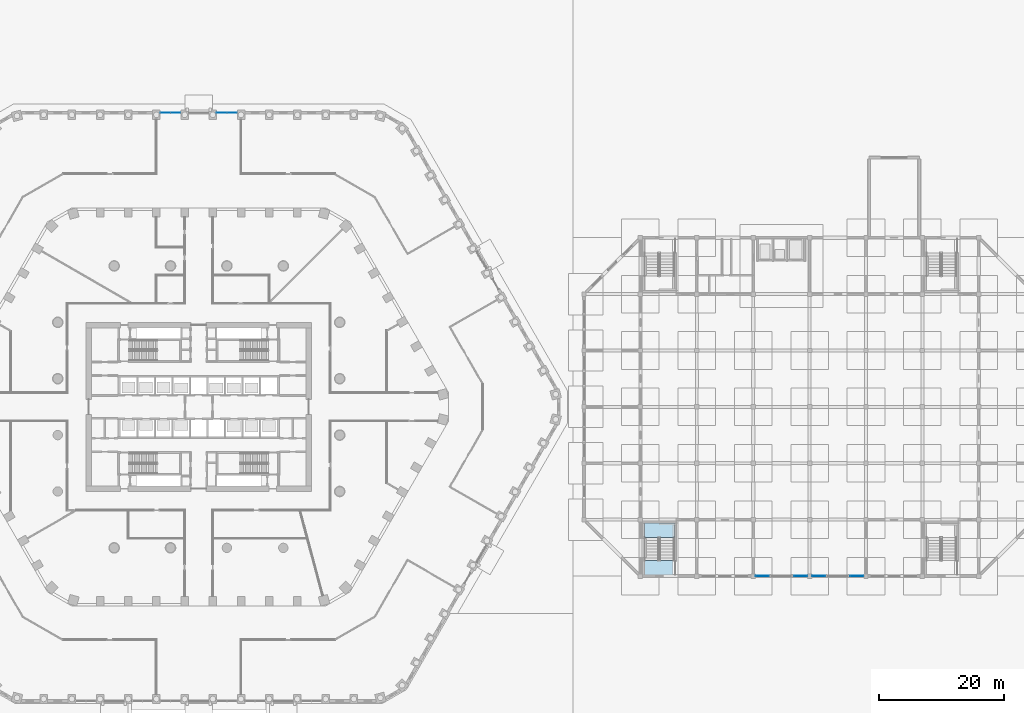
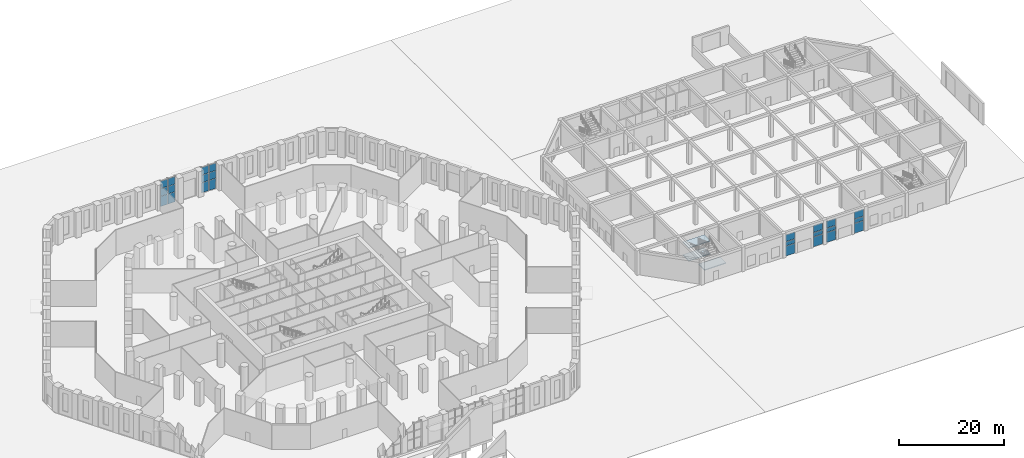
# One storey, part 12 of 44: 24 plates, 3 slabs, 7 elements without a shape of their own.
"""IFC4 building model written with IfcOpenShell, lengths in metres."""

from ifc_helpers import new_model, si_unit, direction, frame, origin, origin_2d, place, context, subcontext, project, spatial, polyline, rectangle, outline, extrude, material, layer, layer_set, type_object, element, aggregate, save


model = new_model("IFC4")

# Units and contexts
model_context = context("Model", 3, precision=1e-05, world=origin(), true_north=direction((0.0, 1.0)))
body_context = subcontext(model_context, "Body", "Model", "MODEL_VIEW")
ifc_project = project(units=[si_unit("LENGTHUNIT", "METRE"), si_unit("AREAUNIT", "SQUARE_METRE"), si_unit("VOLUMEUNIT", "CUBIC_METRE"), si_unit("PLANEANGLEUNIT", "RADIAN"), si_unit("MASSUNIT", "GRAM", prefix="KILO")], contexts=[model_context])

# Site, building, storey
site_placement = place(None, origin())
site = spatial("IfcSite", under=ifc_project, at=site_placement, CompositionType="ELEMENT")
building_placement = place(site_placement, origin())
building = spatial("IfcBuilding", under=site, at=building_placement, Name="Dhurran Vertical Campus", CompositionType="ELEMENT")
storey_placement = place(building_placement, origin())
storey = spatial("IfcBuildingStorey", under=building, at=storey_placement, Name="L00", CompositionType="ELEMENT", Elevation=0.0)

# Curtain wall, plates
ifc_material_1 = material(Name="Aluminium frame with solar-control glass", Category="aluminium")
ifc_layer_1 = layer(ifc_material_1, 0.199951171875)
ifc_layer_set_1 = layer_set([ifc_layer_1], Name="Aluminium frame with solar-control glass")
curtain_wall_type_1 = type_object("IfcCurtainWallType", Name="Entrance glazing system", PredefinedType="NOTDEFINED", material=ifc_layer_set_1)
curtain_wall_1_placement = place(storey_placement, origin())
curtain_wall_1 = element("IfcCurtainWall", 1, at=curtain_wall_1_placement, inside=storey, type_object=curtain_wall_type_1, Name="CW1 L00.43", PredefinedType="NOTDEFINED")
ifc_material_2 = material(Name="Clear solar-control glass", Category="glass")
ifc_layer_2 = layer(ifc_material_2, 0.028076171875)
ifc_layer_set_2 = layer_set([ifc_layer_2], Name="Clear solar-control glass")
plate_type_1 = type_object("IfcPlateType", Name="Entrance glazing system panel", PredefinedType="CURTAIN_PANEL", material=ifc_layer_set_2)
plate_1_placement = place(storey_placement, frame((5.309814453125, 46.943359375, 0.06005859375), z_axis=(0.0, 0.0, 1.0), x_axis=(-1.0, 0.0, 0.0)))
plate_1 = element("IfcPlate", 2, at=plate_1_placement, type_object=plate_type_1, Name="CW1 panel 1.1", PredefinedType="CURTAIN_PANEL", context=body_context, shape_type="SweptSolid", body=[
    extrude(rectangle(XDim=1.5595703125, YDim=0.028076171875, at=origin_2d()), origin(), (0.0, 0.0, 1.0), 2.31005859375),
])
plate_2_placement = place(storey_placement, frame((5.309814453125, 46.943359375, 2.43017578125), z_axis=(0.0, 0.0, 1.0), x_axis=(-1.0, 0.0, 0.0)))
plate_2 = element("IfcPlate", 3, at=plate_2_placement, type_object=plate_type_1, Name="CW1 panel 1.2", PredefinedType="CURTAIN_PANEL", context=body_context, shape_type="SweptSolid", body=[
    extrude(rectangle(XDim=1.5595703125, YDim=0.028076171875, at=origin_2d()), origin(), (0.0, 0.0, 1.0), 1.739990234375),
])
plate_3_placement = place(storey_placement, frame((5.309814453125, 46.943359375, 4.22998046875), z_axis=(0.0, 0.0, 1.0), x_axis=(-1.0, 0.0, 0.0)))
plate_3 = element("IfcPlate", 4, at=plate_3_placement, type_object=plate_type_1, Name="CW1 panel 1.3", PredefinedType="CURTAIN_PANEL", context=body_context, shape_type="SweptSolid", body=[
    extrude(rectangle(XDim=1.5595703125, YDim=0.028076171875, at=origin_2d()), origin(), (0.0, 0.0, 1.0), 1.7099609375),
])
plate_4_placement = place(storey_placement, frame((3.690185546875, 46.943359375, 0.06005859375), z_axis=(0.0, 0.0, 1.0), x_axis=(-1.0, 0.0, 0.0)))
plate_4 = element("IfcPlate", 5, at=plate_4_placement, type_object=plate_type_1, Name="CW1 panel 2.1", PredefinedType="CURTAIN_PANEL", context=body_context, shape_type="SweptSolid", body=[
    extrude(rectangle(XDim=1.5595703125, YDim=0.028076171875, at=origin_2d()), origin(), (0.0, 0.0, 1.0), 2.31005859375),
])
plate_5_placement = place(storey_placement, frame((3.690185546875, 46.943359375, 2.43017578125), z_axis=(0.0, 0.0, 1.0), x_axis=(-1.0, 0.0, 0.0)))
plate_5 = element("IfcPlate", 6, at=plate_5_placement, type_object=plate_type_1, Name="CW1 panel 2.2", PredefinedType="CURTAIN_PANEL", context=body_context, shape_type="SweptSolid", body=[
    extrude(rectangle(XDim=1.5595703125, YDim=0.028076171875, at=origin_2d()), origin(), (0.0, 0.0, 1.0), 1.739990234375),
])
plate_6_placement = place(storey_placement, frame((3.690185546875, 46.943359375, 4.22998046875), z_axis=(0.0, 0.0, 1.0), x_axis=(-1.0, 0.0, 0.0)))
plate_6 = element("IfcPlate", 7, at=plate_6_placement, type_object=plate_type_1, Name="CW1 panel 2.3", PredefinedType="CURTAIN_PANEL", context=body_context, shape_type="SweptSolid", body=[
    extrude(rectangle(XDim=1.5595703125, YDim=0.028076171875, at=origin_2d()), origin(), (0.0, 0.0, 1.0), 1.7099609375),
])
aggregate(curtain_wall_1, [plate_1, plate_2, plate_3, plate_4, plate_5, plate_6])

curtain_wall_2_placement = place(storey_placement, origin())
curtain_wall_2 = element("IfcCurtainWall", 8, at=curtain_wall_2_placement, inside=storey, type_object=curtain_wall_type_1, Name="CW1 L00.45", PredefinedType="NOTDEFINED")
plate_7_placement = place(storey_placement, frame((-3.690185546875, 46.943359375, 0.06005859375), z_axis=(0.0, 0.0, 1.0), x_axis=(-1.0, 0.0, 0.0)))
plate_7 = element("IfcPlate", 9, at=plate_7_placement, type_object=plate_type_1, Name="CW1 panel 1.1", PredefinedType="CURTAIN_PANEL", context=body_context, shape_type="SweptSolid", body=[
    extrude(rectangle(XDim=1.5595703125, YDim=0.028076171875, at=origin_2d()), origin(), (0.0, 0.0, 1.0), 2.31005859375),
])
plate_8_placement = place(storey_placement, frame((-3.690185546875, 46.943359375, 2.43017578125), z_axis=(0.0, 0.0, 1.0), x_axis=(-1.0, 0.0, 0.0)))
plate_8 = element("IfcPlate", 10, at=plate_8_placement, type_object=plate_type_1, Name="CW1 panel 1.2", PredefinedType="CURTAIN_PANEL", context=body_context, shape_type="SweptSolid", body=[
    extrude(rectangle(XDim=1.5595703125, YDim=0.028076171875, at=origin_2d()), origin(), (0.0, 0.0, 1.0), 1.739990234375),
])
plate_9_placement = place(storey_placement, frame((-3.690185546875, 46.943359375, 4.22998046875), z_axis=(0.0, 0.0, 1.0), x_axis=(-1.0, 0.0, 0.0)))
plate_9 = element("IfcPlate", 11, at=plate_9_placement, type_object=plate_type_1, Name="CW1 panel 1.3", PredefinedType="CURTAIN_PANEL", context=body_context, shape_type="SweptSolid", body=[
    extrude(rectangle(XDim=1.5595703125, YDim=0.028076171875, at=origin_2d()), origin(), (0.0, 0.0, 1.0), 1.7099609375),
])
plate_10_placement = place(storey_placement, frame((-5.309814453125, 46.943359375, 0.06005859375), z_axis=(0.0, 0.0, 1.0), x_axis=(-1.0, 0.0, 0.0)))
plate_10 = element("IfcPlate", 12, at=plate_10_placement, type_object=plate_type_1, Name="CW1 panel 2.1", PredefinedType="CURTAIN_PANEL", context=body_context, shape_type="SweptSolid", body=[
    extrude(rectangle(XDim=1.5595703125, YDim=0.028076171875, at=origin_2d()), origin(), (0.0, 0.0, 1.0), 2.31005859375),
])
plate_11_placement = place(storey_placement, frame((-5.309814453125, 46.943359375, 2.43017578125), z_axis=(0.0, 0.0, 1.0), x_axis=(-1.0, 0.0, 0.0)))
plate_11 = element("IfcPlate", 13, at=plate_11_placement, type_object=plate_type_1, Name="CW1 panel 2.2", PredefinedType="CURTAIN_PANEL", context=body_context, shape_type="SweptSolid", body=[
    extrude(rectangle(XDim=1.5595703125, YDim=0.028076171875, at=origin_2d()), origin(), (0.0, 0.0, 1.0), 1.739990234375),
])
plate_12_placement = place(storey_placement, frame((-5.309814453125, 46.943359375, 4.22998046875), z_axis=(0.0, 0.0, 1.0), x_axis=(-1.0, 0.0, 0.0)))
plate_12 = element("IfcPlate", 14, at=plate_12_placement, type_object=plate_type_1, Name="CW1 panel 2.3", PredefinedType="CURTAIN_PANEL", context=body_context, shape_type="SweptSolid", body=[
    extrude(rectangle(XDim=1.5595703125, YDim=0.028076171875, at=origin_2d()), origin(), (0.0, 0.0, 1.0), 1.7099609375),
])
aggregate(curtain_wall_2, [plate_7, plate_8, plate_9, plate_10, plate_11, plate_12])

ifc_material_3 = material(Name="Aluminium", Category="aluminium")
ifc_layer_3 = layer(ifc_material_3, 0.159912109375)
ifc_layer_set_3 = layer_set([ifc_layer_3], Name="Aluminium")
curtain_wall_type_2 = type_object("IfcCurtainWallType", Name="hl-curtain wall system", PredefinedType="NOTDEFINED", material=ifc_layer_set_3)
curtain_wall_3_placement = place(storey_placement, origin())
curtain_wall_3 = element("IfcCurtainWall", 15, at=curtain_wall_3_placement, inside=storey, type_object=curtain_wall_type_2, Name="Hall curtain wall L00-01", PredefinedType="NOTDEFINED")
ifc_material_4 = material(Name="Glass laminated", Category="glass")
ifc_layer_4 = layer(ifc_material_4, 0.028076171875)
ifc_layer_set_4 = layer_set([ifc_layer_4], Name="Glass laminated")
plate_type_2 = type_object("IfcPlateType", Name="hl-cw glass panel 28", PredefinedType="CURTAIN_PANEL", material=ifc_layer_set_4)
plate_13_placement = place(storey_placement, frame((89.949951171875, -27.0, 0.06005859375), z_axis=(0.0, 0.0, 1.0), x_axis=(1.0, 0.0, 0.0)))
plate_13 = element("IfcPlate", 16, at=plate_13_placement, type_object=plate_type_2, Name="HCW panel 1.1", PredefinedType="CURTAIN_PANEL", context=body_context, shape_type="SweptSolid", body=[
    extrude(rectangle(XDim=2.080078125, YDim=0.028076171875, at=origin_2d()), origin(), (0.0, 0.0, 1.0), 2.31005859375),
])
plate_14_placement = place(storey_placement, frame((89.949951171875, -27.0, 2.429931640625), z_axis=(0.0, 0.0, 1.0), x_axis=(1.0, 0.0, 0.0)))
plate_14 = element("IfcPlate", 17, at=plate_14_placement, type_object=plate_type_2, Name="HCW panel 1.2", PredefinedType="CURTAIN_PANEL", context=body_context, shape_type="SweptSolid", body=[
    extrude(rectangle(XDim=2.080078125, YDim=0.028076171875, at=origin_2d()), origin(), (0.0, 0.0, 1.0), 0.93994140625),
])
plate_15_placement = place(storey_placement, frame((89.949951171875, -27.0, 3.43017578125), z_axis=(0.0, 0.0, 1.0), x_axis=(1.0, 0.0, 0.0)))
plate_15 = element("IfcPlate", 18, at=plate_15_placement, type_object=plate_type_2, Name="HCW panel 1.3", PredefinedType="CURTAIN_PANEL", context=body_context, shape_type="SweptSolid", body=[
    extrude(rectangle(XDim=2.080078125, YDim=0.028076171875, at=origin_2d()), origin(), (0.0, 0.0, 1.0), 1.610107421875),
])
aggregate(curtain_wall_3, [plate_13, plate_14, plate_15])

curtain_wall_4_placement = place(storey_placement, origin())
curtain_wall_4 = element("IfcCurtainWall", 19, at=curtain_wall_4_placement, inside=storey, type_object=curtain_wall_type_2, Name="Hall curtain wall L00-02", PredefinedType="NOTDEFINED")
plate_16_placement = place(storey_placement, frame((96.050048828125, -27.0, 0.06005859375), z_axis=(0.0, 0.0, 1.0), x_axis=(1.0, 0.0, 0.0)))
plate_16 = element("IfcPlate", 20, at=plate_16_placement, type_object=plate_type_2, Name="HCW panel 1.1", PredefinedType="CURTAIN_PANEL", context=body_context, shape_type="SweptSolid", body=[
    extrude(rectangle(XDim=2.080078125, YDim=0.028076171875, at=origin_2d()), origin(), (0.0, 0.0, 1.0), 2.31005859375),
])
plate_17_placement = place(storey_placement, frame((96.050048828125, -27.0, 2.429931640625), z_axis=(0.0, 0.0, 1.0), x_axis=(1.0, 0.0, 0.0)))
plate_17 = element("IfcPlate", 21, at=plate_17_placement, type_object=plate_type_2, Name="HCW panel 1.2", PredefinedType="CURTAIN_PANEL", context=body_context, shape_type="SweptSolid", body=[
    extrude(rectangle(XDim=2.080078125, YDim=0.028076171875, at=origin_2d()), origin(), (0.0, 0.0, 1.0), 0.93994140625),
])
plate_18_placement = place(storey_placement, frame((96.050048828125, -27.0, 3.43017578125), z_axis=(0.0, 0.0, 1.0), x_axis=(1.0, 0.0, 0.0)))
plate_18 = element("IfcPlate", 22, at=plate_18_placement, type_object=plate_type_2, Name="HCW panel 1.3", PredefinedType="CURTAIN_PANEL", context=body_context, shape_type="SweptSolid", body=[
    extrude(rectangle(XDim=2.080078125, YDim=0.028076171875, at=origin_2d()), origin(), (0.0, 0.0, 1.0), 1.610107421875),
])
aggregate(curtain_wall_4, [plate_16, plate_17, plate_18])

curtain_wall_5_placement = place(storey_placement, origin())
curtain_wall_5 = element("IfcCurtainWall", 23, at=curtain_wall_5_placement, inside=storey, type_object=curtain_wall_type_2, Name="Hall curtain wall L00-03", PredefinedType="NOTDEFINED")
plate_19_placement = place(storey_placement, frame((98.949951171875, -27.0, 0.06005859375), z_axis=(0.0, 0.0, 1.0), x_axis=(1.0, 0.0, 0.0)))
plate_19 = element("IfcPlate", 24, at=plate_19_placement, type_object=plate_type_2, Name="HCW panel 1.1", PredefinedType="CURTAIN_PANEL", context=body_context, shape_type="SweptSolid", body=[
    extrude(rectangle(XDim=2.080078125, YDim=0.028076171875, at=origin_2d()), origin(), (0.0, 0.0, 1.0), 2.31005859375),
])
plate_20_placement = place(storey_placement, frame((98.949951171875, -27.0, 2.429931640625), z_axis=(0.0, 0.0, 1.0), x_axis=(1.0, 0.0, 0.0)))
plate_20 = element("IfcPlate", 25, at=plate_20_placement, type_object=plate_type_2, Name="HCW panel 1.2", PredefinedType="CURTAIN_PANEL", context=body_context, shape_type="SweptSolid", body=[
    extrude(rectangle(XDim=2.080078125, YDim=0.028076171875, at=origin_2d()), origin(), (0.0, 0.0, 1.0), 0.93994140625),
])
plate_21_placement = place(storey_placement, frame((98.949951171875, -27.0, 3.43017578125), z_axis=(0.0, 0.0, 1.0), x_axis=(1.0, 0.0, 0.0)))
plate_21 = element("IfcPlate", 26, at=plate_21_placement, type_object=plate_type_2, Name="HCW panel 1.3", PredefinedType="CURTAIN_PANEL", context=body_context, shape_type="SweptSolid", body=[
    extrude(rectangle(XDim=2.080078125, YDim=0.028076171875, at=origin_2d()), origin(), (0.0, 0.0, 1.0), 1.610107421875),
])
aggregate(curtain_wall_5, [plate_19, plate_20, plate_21])

curtain_wall_6_placement = place(storey_placement, origin())
curtain_wall_6 = element("IfcCurtainWall", 27, at=curtain_wall_6_placement, inside=storey, type_object=curtain_wall_type_2, Name="Hall curtain wall L00-04", PredefinedType="NOTDEFINED")
plate_22_placement = place(storey_placement, frame((105.050048828125, -27.0, 0.06005859375), z_axis=(0.0, 0.0, 1.0), x_axis=(1.0, 0.0, 0.0)))
plate_22 = element("IfcPlate", 28, at=plate_22_placement, type_object=plate_type_2, Name="HCW panel 1.1", PredefinedType="CURTAIN_PANEL", context=body_context, shape_type="SweptSolid", body=[
    extrude(rectangle(XDim=2.080078125, YDim=0.028076171875, at=origin_2d()), origin(), (0.0, 0.0, 1.0), 2.31005859375),
])
plate_23_placement = place(storey_placement, frame((105.050048828125, -27.0, 2.429931640625), z_axis=(0.0, 0.0, 1.0), x_axis=(1.0, 0.0, 0.0)))
plate_23 = element("IfcPlate", 29, at=plate_23_placement, type_object=plate_type_2, Name="HCW panel 1.2", PredefinedType="CURTAIN_PANEL", context=body_context, shape_type="SweptSolid", body=[
    extrude(rectangle(XDim=2.080078125, YDim=0.028076171875, at=origin_2d()), origin(), (0.0, 0.0, 1.0), 0.93994140625),
])
plate_24_placement = place(storey_placement, frame((105.050048828125, -27.0, 3.43017578125), z_axis=(0.0, 0.0, 1.0), x_axis=(1.0, 0.0, 0.0)))
plate_24 = element("IfcPlate", 30, at=plate_24_placement, type_object=plate_type_2, Name="HCW panel 1.3", PredefinedType="CURTAIN_PANEL", context=body_context, shape_type="SweptSolid", body=[
    extrude(rectangle(XDim=2.080078125, YDim=0.028076171875, at=origin_2d()), origin(), (0.0, 0.0, 1.0), 1.610107421875),
])
aggregate(curtain_wall_6, [plate_22, plate_23, plate_24])

# Stair, slabs
ifc_material_5 = material(Name="Concrete C40/50", Category="concrete")
stair_type = type_object("IfcStairType", Name="hl-exit stair dog-leg", PredefinedType="HALF_TURN_STAIR", material=ifc_material_5)
stair_placement = place(storey_placement, origin())
stair = element("IfcStair", 31, at=stair_placement, inside=storey, type_object=stair_type, Name="L00 Exit stair HST1", PredefinedType="HALF_TURN_STAIR")
ifc_material_6 = material(Name="Concrete C40/50", Category="concrete")
ifc_layer_5 = layer(ifc_material_6, 0.199951171875)
ifc_layer_set_5 = layer_set([ifc_layer_5], Name="Concrete C40/50")
slab_type = type_object("IfcSlabType", Name="hl-stair landing 200", PredefinedType="LANDING", material=ifc_layer_set_5)
slab_1_placement = place(storey_placement, frame((0.0, 0.0, 1.300048828125)))
slab_1 = element("IfcSlab", 32, at=slab_1_placement, type_object=slab_type, Name="HST1 landing 1", PredefinedType="LANDING", context=body_context, shape_type="SweptSolid", body=[
    extrude(outline(polyline([(75.89990234375, -20.85400390625), (75.89990234375, -18.550048828125), (71.14990234375, -18.550048828125), (71.14990234375, -20.85400390625), (75.89990234375, -20.85400390625)])), origin(), (0.0, 0.0, 1.0), 0.199951171875),
])
slab_2_placement = place(storey_placement, frame((0.0, 0.0, 2.800048828125)))
slab_2 = element("IfcSlab", 33, at=slab_2_placement, type_object=slab_type, Name="HST1 landing 2", PredefinedType="LANDING", context=body_context, shape_type="SweptSolid", body=[
    extrude(outline(polyline([(75.89990234375, -26.85009765625), (75.89990234375, -24.550048828125), (71.14990234375, -24.550048828125), (71.14990234375, -26.85009765625), (75.89990234375, -26.85009765625)])), origin(), (0.0, 0.0, 1.0), 0.199951171875),
])
slab_3_placement = place(storey_placement, frame((0.0, 0.0, 4.300048828125)))
slab_3 = element("IfcSlab", 34, at=slab_3_placement, type_object=slab_type, Name="HST1 landing 3", PredefinedType="LANDING", context=body_context, shape_type="SweptSolid", body=[
    extrude(outline(polyline([(75.89990234375, -20.85400390625), (75.89990234375, -18.550048828125), (71.14990234375, -18.550048828125), (71.14990234375, -20.85400390625), (75.89990234375, -20.85400390625)])), origin(), (0.0, 0.0, 1.0), 0.199951171875),
])
aggregate(stair, [slab_1, slab_2, slab_3])

save(model, "model.ifc")
